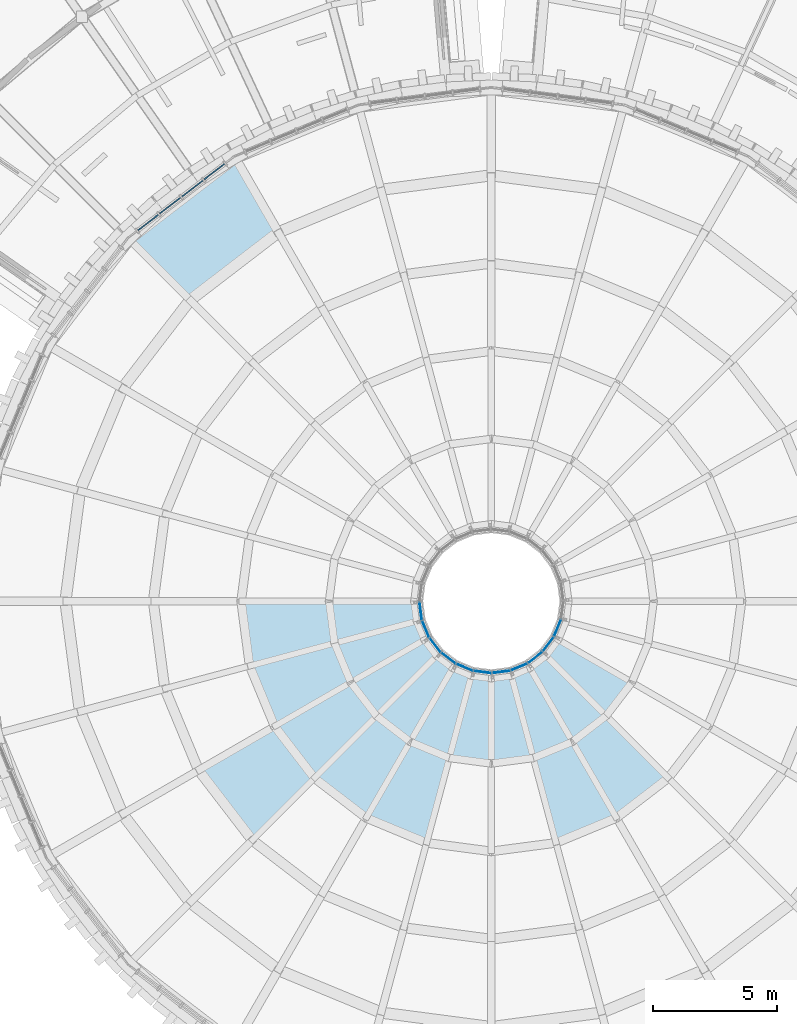
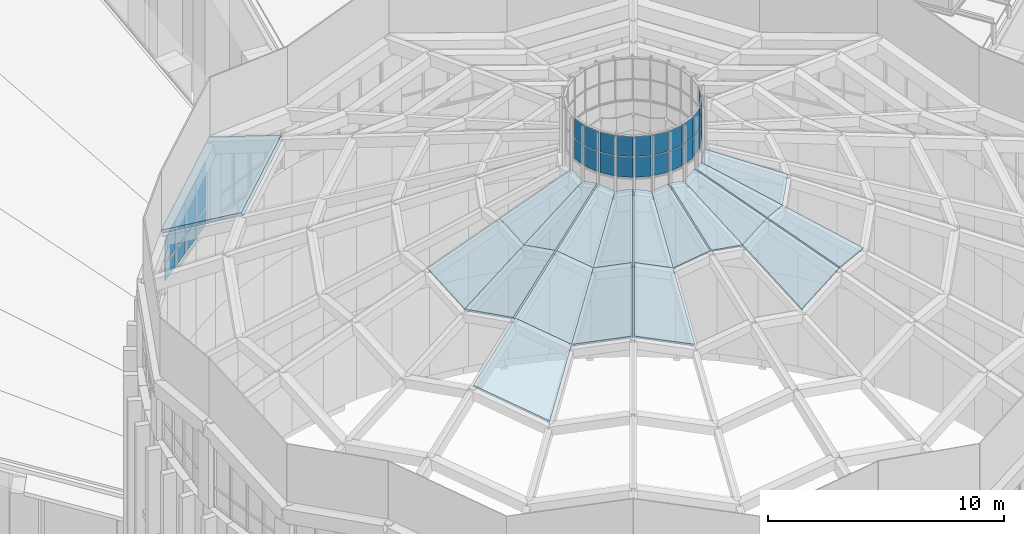
# One storey, part 41 of 82: 30 plates, 19 slabs, 13 elements without a shape of their own.
"""IFC4 building model written with IfcOpenShell, lengths in metres."""

from ifc_helpers import new_model, si_unit, direction, frame, origin, origin_2d, place, context, subcontext, project, spatial, polyline, rectangle, outline, extrude, material, layer, layer_set, type_object, element, aggregate, save


model = new_model("IFC4")

# Units and contexts
model_context = context("Model", 3, precision=1e-05, world=origin(), true_north=direction((0.0, 1.0)))
body_context = subcontext(model_context, "Body", "Model", "MODEL_VIEW")
ifc_project = project(units=[si_unit("LENGTHUNIT", "METRE"), si_unit("AREAUNIT", "SQUARE_METRE"), si_unit("VOLUMEUNIT", "CUBIC_METRE"), si_unit("PLANEANGLEUNIT", "RADIAN"), si_unit("MASSUNIT", "GRAM", prefix="KILO")], contexts=[model_context])

# Site, building, storey
site_placement = place(None, origin())
site = spatial("IfcSite", under=ifc_project, at=site_placement, CompositionType="ELEMENT")
building_placement = place(site_placement, origin())
building = spatial("IfcBuilding", under=site, at=building_placement, Name="Volute Hill Aquarium", CompositionType="ELEMENT")
storey_placement = place(building_placement, frame((0.0, 0.0, 13.800048828125)))
storey = spatial("IfcBuildingStorey", under=building, at=storey_placement, Name="L04", CompositionType="ELEMENT", Elevation=13.800048828125)

# Curtain wall, plates
ifc_material_1 = material(Name="Aluminium", Category="aluminium")
ifc_layer_1 = layer(ifc_material_1, 0.219970703125)
ifc_layer_set_1 = layer_set([ifc_layer_1], Name="Curtain wall DR clerestory module 1134")
curtain_wall_type_1 = type_object("IfcCurtainWallType", Name="Curtain wall DR clerestory module 1134", PredefinedType="NOTDEFINED", material=ifc_layer_set_1)
curtain_wall_1_placement = place(storey_placement, origin())
curtain_wall_1 = element("IfcCurtainWall", 1, at=curtain_wall_1_placement, inside=storey, type_object=curtain_wall_type_1, Name="Curtain wall CW DR clerestory c08", PredefinedType="NOTDEFINED")
ifc_material_2 = material(Name="Glass, low-iron laminated", Category="glass")
ifc_layer_2 = layer(ifc_material_2, 0.035888671875)
ifc_layer_set_2 = layer_set([ifc_layer_2], Name="Curtain wall glass panel clerestory 36")
plate_type_1 = type_object("IfcPlateType", Name="Curtain wall glass panel clerestory 36", PredefinedType="CURTAIN_PANEL", material=ifc_layer_set_2)
plate_1_placement = place(storey_placement, frame((-11.157958984375, 17.306640625, 13.77001953125), z_axis=(0.0, 0.0, 1.0), x_axis=(-0.793354013303, -0.608760551921, 0.0)))
plate_1 = element("IfcPlate", 2, at=plate_1_placement, type_object=plate_type_1, Name="Panel DR clerestory 1.1", PredefinedType="CURTAIN_PANEL", context=body_context, shape_type="SweptSolid", body=[
    extrude(rectangle(XDim=1.029052734375, YDim=0.035888671875, at=origin_2d()), origin(), (0.0, 0.0, 1.0), 0.89501953125),
])
plate_2_placement = place(storey_placement, frame((-10.7607421875, 17.63427734375, 14.73486328125), z_axis=(-0.608620818261, 0.793461214918, 0.0), x_axis=(-0.793461214918, -0.608620818261, 0.0)))
plate_2 = element("IfcPlate", 3, at=plate_2_placement, type_object=plate_type_1, Name="Panel DR clerestory 1.2", PredefinedType="CURTAIN_PANEL", context=body_context, shape_type="SweptSolid", body=[
    extrude(outline(polyline([(0.0, 0.0), (1.0289176517396483, 0.0), (1.0289176517396483, 2.025146484375), (0.0, 2.291748046875), (0.0, 0.0)])), origin(), (0.0, 0.0, -1.0), 0.035888671875),
])
plate_3_placement = place(storey_placement, frame((-12.043701171875, 16.626953125, 13.77001953125), z_axis=(0.0, 0.0, 1.0), x_axis=(-0.793354013303, -0.608760551921, 0.0)))
plate_3 = element("IfcPlate", 4, at=plate_3_placement, type_object=plate_type_1, Name="Panel DR clerestory 2.1", PredefinedType="CURTAIN_PANEL", context=body_context, shape_type="SweptSolid", body=[
    extrude(rectangle(XDim=1.06396484375, YDim=0.035888671875, at=origin_2d()), origin(), (0.0, 0.0, 1.0), 0.89501953125),
])
plate_4_placement = place(storey_placement, frame((-11.632568359375, 16.965087890625, 14.73486328125), z_axis=(-0.608701247669, 0.793399515431, 0.0), x_axis=(-0.793399515431, -0.608701247669, 0.0)))
plate_4 = element("IfcPlate", 5, at=plate_4_placement, type_object=plate_type_1, Name="Panel DR clerestory 2.2", PredefinedType="CURTAIN_PANEL", context=body_context, shape_type="SweptSolid", body=[
    extrude(outline(polyline([(0.0, 0.0), (1.0640771324283154, 0.0), (1.0640771324283154, 1.7314453125000004), (0.0, 2.0070800781250004), (0.0, 0.0)])), origin(), (0.0, 0.0, -1.0), 0.035888671875),
])
plate_5_placement = place(storey_placement, frame((-12.943359375, 15.936767578125, 13.77001953125), z_axis=(0.0, 0.0, 1.0), x_axis=(-0.793354013303, -0.608760551921, 0.0)))
plate_5 = element("IfcPlate", 6, at=plate_5_placement, type_object=plate_type_1, Name="Panel DR clerestory 3.1", PredefinedType="CURTAIN_PANEL", context=body_context, shape_type="SweptSolid", body=[
    extrude(rectangle(XDim=1.06396484375, YDim=0.035888671875, at=origin_2d()), origin(), (0.0, 0.0, 1.0), 0.89501953125),
])
plate_6_placement = place(storey_placement, frame((-12.5322265625, 16.274658203125, 14.73486328125), z_axis=(-0.608701247669, 0.793399515431, 0.0), x_axis=(-0.793399515431, -0.608701247669, 0.0)))
plate_6 = element("IfcPlate", 7, at=plate_6_placement, type_object=plate_type_1, Name="Panel DR clerestory 3.2", PredefinedType="CURTAIN_PANEL", context=body_context, shape_type="SweptSolid", body=[
    extrude(outline(polyline([(0.0, 0.0), (1.0640771324283154, 0.0), (1.0640771324283154, 1.4377441406250002), (0.0, 1.7133789062500004), (0.0, 0.0)])), origin(), (0.0, 0.0, -1.0), 0.035888671875),
])
plate_7_placement = place(storey_placement, frame((-13.8291015625, 15.257080078125, 13.77001953125), z_axis=(0.0, 0.0, 1.0), x_axis=(-0.793354013303, -0.608760551921, 0.0)))
plate_7 = element("IfcPlate", 8, at=plate_7_placement, type_object=plate_type_1, Name="Panel DR clerestory 4.1", PredefinedType="CURTAIN_PANEL", context=body_context, shape_type="SweptSolid", body=[
    extrude(rectangle(XDim=1.029052734375, YDim=0.035888671875, at=origin_2d()), origin(), (0.0, 0.0, 1.0), 0.89501953125),
])
plate_8_placement = place(storey_placement, frame((-13.431884765625, 15.58447265625, 14.73486328125), z_axis=(-0.608770172228, 0.793346631306, 0.0), x_axis=(-0.793346631306, -0.608770172228, 0.0)))
plate_8 = element("IfcPlate", 9, at=plate_8_placement, type_object=plate_type_1, Name="Panel DR clerestory 4.2", PredefinedType="CURTAIN_PANEL", context=body_context, shape_type="SweptSolid", body=[
    extrude(outline(polyline([(0.0, 0.0), (1.0290662590396085, 0.0), (1.0290662590396085, 1.1528320312500002), (0.0, 1.4194335937500002), (0.0, 0.0)])), origin(), (0.0, 0.0, -1.0), 0.035888671875),
])
aggregate(curtain_wall_1, [plate_1, plate_2, plate_3, plate_4, plate_5, plate_6, plate_7, plate_8])

ifc_material_3 = material(Name="Aluminium", Category="aluminium")
ifc_layer_3 = layer(ifc_material_3, 0.139892578125)
ifc_layer_set_3 = layer_set([ifc_layer_3], Name="Curtain wall DR lantern module 757")
curtain_wall_type_2 = type_object("IfcCurtainWallType", Name="Curtain wall DR lantern module 757", PredefinedType="NOTDEFINED", material=ifc_layer_set_3)
curtain_wall_2_placement = place(storey_placement, origin())
curtain_wall_2 = element("IfcCurtainWall", 10, at=curtain_wall_2_placement, inside=storey, type_object=curtain_wall_type_2, Name="Curtain wall CW DR lantern l12", PredefinedType="NOTDEFINED")
ifc_material_4 = material(Name="Glass, low-iron laminated", Category="glass")
ifc_layer_4 = layer(ifc_material_4, 0.031982421875)
ifc_layer_set_4 = layer_set([ifc_layer_4], Name="Curtain wall glass panel lantern 32")
plate_type_2 = type_object("IfcPlateType", Name="Curtain wall glass panel lantern 32", PredefinedType="CURTAIN_PANEL", material=ifc_layer_set_4)
plate_9_placement = place(storey_placement, frame((-2.847412109375, -0.400146484375, 25.216552734375), z_axis=(0.0, 0.0, 1.0), x_axis=(0.130502348011, -0.991448000232, 0.0)))
plate_9 = element("IfcPlate", 11, at=plate_9_placement, type_object=plate_type_2, Name="Panel DR lantern 1.1", PredefinedType="CURTAIN_PANEL", context=body_context, shape_type="SweptSolid", body=[
    extrude(rectangle(XDim=0.70703125, YDim=0.031982421875, at=origin_2d()), origin(), (0.0, 0.0, 1.0), 1.02490234375),
])
plate_10_placement = place(storey_placement, frame((-2.909423828125, -0.0517578125, 26.29150390625), z_axis=(-0.991443713746, -0.13053490902, 0.0), x_axis=(0.13053490902, -0.991443713746, 0.0)))
plate_10 = element("IfcPlate", 12, at=plate_10_placement, type_object=plate_type_2, Name="Panel DR lantern 1.2", PredefinedType="CURTAIN_PANEL", context=body_context, shape_type="SweptSolid", body=[
    extrude(outline(polyline([(0.0, 0.0), (0.7069768305115505, 0.0), (0.7069768305115505, 1.025146484375), (0.0, 1.025146484375), (0.0, 0.0)])), origin(), (0.0, 0.0, -1.0), 0.031982421875),
])
aggregate(curtain_wall_2, [plate_9, plate_10])

curtain_wall_3_placement = place(storey_placement, origin())
curtain_wall_3 = element("IfcCurtainWall", 13, at=curtain_wall_3_placement, inside=storey, type_object=curtain_wall_type_2, Name="Curtain wall CW DR lantern l13", PredefinedType="NOTDEFINED")
plate_11_placement = place(storey_placement, frame((-2.646728515625, -1.123291015625, 25.216552734375), z_axis=(0.0, 0.0, 1.0), x_axis=(0.382682343719, -0.923879983442, 0.0)))
plate_11 = element("IfcPlate", 14, at=plate_11_placement, type_object=plate_type_2, Name="Panel DR lantern 1.1", PredefinedType="CURTAIN_PANEL", context=body_context, shape_type="SweptSolid", body=[
    extrude(rectangle(XDim=0.70703125, YDim=0.031982421875, at=origin_2d()), origin(), (0.0, 0.0, 1.0), 1.02490234375),
])
plate_12_placement = place(storey_placement, frame((-2.796875, -0.802978515625, 26.29150390625), z_axis=(-0.923882130891, -0.382677159262, 0.0), x_axis=(0.382677159262, -0.923882130891, 0.0)))
plate_12 = element("IfcPlate", 15, at=plate_12_placement, type_object=plate_type_2, Name="Panel DR lantern 1.2", PredefinedType="CURTAIN_PANEL", context=body_context, shape_type="SweptSolid", body=[
    extrude(outline(polyline([(0.0, 0.0), (0.7068825665515027, 0.0), (0.7068825665515027, 1.025146484375), (0.0, 1.025146484375), (0.0, 0.0)])), origin(), (0.0, 0.0, -1.0), 0.031982421875),
])
aggregate(curtain_wall_3, [plate_11, plate_12])

curtain_wall_4_placement = place(storey_placement, origin())
curtain_wall_4 = element("IfcCurtainWall", 16, at=curtain_wall_4_placement, inside=storey, type_object=curtain_wall_type_2, Name="Curtain wall CW DR lantern l14", PredefinedType="NOTDEFINED")
plate_13_placement = place(storey_placement, frame((-2.265869140625, -1.77001953125, 25.216552734375), z_axis=(0.0, 0.0, 1.0), x_axis=(0.608797519421, -0.79332564584, 0.0)))
plate_13 = element("IfcPlate", 17, at=plate_13_placement, type_object=plate_type_2, Name="Panel DR lantern 1.1", PredefinedType="CURTAIN_PANEL", context=body_context, shape_type="SweptSolid", body=[
    extrude(rectangle(XDim=0.70703125, YDim=0.031982421875, at=origin_2d()), origin(), (0.0, 0.0, 1.0), 1.02490234375),
])
plate_14_placement = place(storey_placement, frame((-2.49365234375, -1.49951171875, 26.29150390625), z_axis=(-0.793278292564, -0.608859220631, 0.0), x_axis=(0.608859220631, -0.793278292564, 0.0)))
plate_14 = element("IfcPlate", 18, at=plate_14_placement, type_object=plate_type_2, Name="Panel DR lantern 1.2", PredefinedType="CURTAIN_PANEL", context=body_context, shape_type="SweptSolid", body=[
    extrude(outline(polyline([(0.0, 0.0), (0.7069284775368723, 0.0), (0.7069284775368723, 1.025146484375), (0.0, 1.025146484375), (0.0, 0.0)])), origin(), (0.0, 0.0, -1.0), 0.031982421875),
])
aggregate(curtain_wall_4, [plate_13, plate_14])

curtain_wall_5_placement = place(storey_placement, origin())
curtain_wall_5 = element("IfcCurtainWall", 19, at=curtain_wall_5_placement, inside=storey, type_object=curtain_wall_type_2, Name="Curtain wall CW DR lantern l15", PredefinedType="NOTDEFINED")
plate_15_placement = place(storey_placement, frame((-1.73046875, -2.29638671875, 25.216552734375), z_axis=(0.0, 0.0, 1.0), x_axis=(0.79332564584, -0.608797519421, 0.0)))
plate_15 = element("IfcPlate", 20, at=plate_15_placement, type_object=plate_type_2, Name="Panel DR lantern 1.1", PredefinedType="CURTAIN_PANEL", context=body_context, shape_type="SweptSolid", body=[
    extrude(rectangle(XDim=0.70703125, YDim=0.031982421875, at=origin_2d()), origin(), (0.0, 0.0, 1.0), 1.02490234375),
])
plate_16_placement = place(storey_placement, frame((-2.020751953125, -2.09375, 26.29150390625), z_axis=(-0.608692448648, -0.79340626602, 0.0), x_axis=(0.79340626602, -0.608692448648, 0.0)))
plate_16 = element("IfcPlate", 21, at=plate_16_placement, type_object=plate_type_2, Name="Panel DR lantern 1.2", PredefinedType="CURTAIN_PANEL", context=body_context, shape_type="SweptSolid", body=[
    extrude(outline(polyline([(0.0, 0.0), (0.7071221646189172, 0.0), (0.7071221646189172, 1.0251464843749998), (0.0, 1.0251464843749998), (0.0, 0.0)])), origin(), (0.0, 0.0, -1.0), 0.031982421875),
])
aggregate(curtain_wall_5, [plate_15, plate_16])

curtain_wall_6_placement = place(storey_placement, origin())
curtain_wall_6 = element("IfcCurtainWall", 22, at=curtain_wall_6_placement, inside=storey, type_object=curtain_wall_type_2, Name="Curtain wall CW DR lantern l16", PredefinedType="NOTDEFINED")
plate_17_placement = place(storey_placement, frame((-1.0771484375, -2.666015625, 25.216552734375), z_axis=(0.0, 0.0, 1.0), x_axis=(0.923879983442, -0.382682343719, 0.0)))
plate_17 = element("IfcPlate", 23, at=plate_17_placement, type_object=plate_type_2, Name="Panel DR lantern 1.1", PredefinedType="CURTAIN_PANEL", context=body_context, shape_type="SweptSolid", body=[
    extrude(rectangle(XDim=0.70703125, YDim=0.031982421875, at=origin_2d()), origin(), (0.0, 0.0, 1.0), 1.02490234375),
])
plate_18_placement = place(storey_placement, frame((-1.409912109375, -2.54541015625, 26.29150390625), z_axis=(-0.382849766253, -0.923810617216, 0.0), x_axis=(0.923810617216, -0.382849766253, 0.0)))
plate_18 = element("IfcPlate", 24, at=plate_18_placement, type_object=plate_type_2, Name="Panel DR lantern 1.2", PredefinedType="CURTAIN_PANEL", context=body_context, shape_type="SweptSolid", body=[
    extrude(outline(polyline([(0.0, 0.0), (0.7072015630964766, 0.0), (0.7072015630964766, 1.025146484375), (0.0, 1.025146484375), (0.0, 0.0)])), origin(), (0.0, 0.0, -1.0), 0.031982421875),
])
aggregate(curtain_wall_6, [plate_17, plate_18])

curtain_wall_7_placement = place(storey_placement, origin())
curtain_wall_7 = element("IfcCurtainWall", 25, at=curtain_wall_7_placement, inside=storey, type_object=curtain_wall_type_2, Name="Curtain wall CW DR lantern l17", PredefinedType="NOTDEFINED")
plate_19_placement = place(storey_placement, frame((-0.3505859375, -2.853759765625, 25.216552734375), z_axis=(0.0, 0.0, 1.0), x_axis=(0.991448000232, -0.130502348011, 0.0)))
plate_19 = element("IfcPlate", 26, at=plate_19_placement, type_object=plate_type_2, Name="Panel DR lantern 1.1", PredefinedType="CURTAIN_PANEL", context=body_context, shape_type="SweptSolid", body=[
    extrude(rectangle(XDim=0.70703125, YDim=0.031982421875, at=origin_2d()), origin(), (0.0, 0.0, 1.0), 1.02490234375),
])
plate_20_placement = place(storey_placement, frame((-0.703125, -2.823486328125, 26.29150390625), z_axis=(-0.13053490902, -0.991443713746, 0.0), x_axis=(0.991443713746, -0.13053490902, 0.0)))
plate_20 = element("IfcPlate", 27, at=plate_20_placement, type_object=plate_type_2, Name="Panel DR lantern 1.2", PredefinedType="CURTAIN_PANEL", context=body_context, shape_type="SweptSolid", body=[
    extrude(outline(polyline([(0.0, 0.0), (0.7069768305115505, 0.0), (0.7069768305115505, 1.025146484375), (0.0, 1.025146484375), (0.0, 0.0)])), origin(), (0.0, 0.0, -1.0), 0.031982421875),
])
aggregate(curtain_wall_7, [plate_19, plate_20])

curtain_wall_8_placement = place(storey_placement, origin())
curtain_wall_8 = element("IfcCurtainWall", 28, at=curtain_wall_8_placement, inside=storey, type_object=curtain_wall_type_2, Name="Curtain wall CW DR lantern l18", PredefinedType="NOTDEFINED")
plate_21_placement = place(storey_placement, frame((0.400146484375, -2.847412109375, 25.216552734375), z_axis=(0.0, 0.0, 1.0), x_axis=(0.991448000232, 0.130502348011, 0.0)))
plate_21 = element("IfcPlate", 29, at=plate_21_placement, type_object=plate_type_2, Name="Panel DR lantern 1.1", PredefinedType="CURTAIN_PANEL", context=body_context, shape_type="SweptSolid", body=[
    extrude(rectangle(XDim=0.70703125, YDim=0.031982421875, at=origin_2d()), origin(), (0.0, 0.0, 1.0), 1.02490234375),
])
plate_22_placement = place(storey_placement, frame((0.0517578125, -2.909423828125, 26.29150390625), z_axis=(0.13053490902, -0.991443713746, 0.0), x_axis=(0.991443713746, 0.13053490902, 0.0)))
plate_22 = element("IfcPlate", 30, at=plate_22_placement, type_object=plate_type_2, Name="Panel DR lantern 1.2", PredefinedType="CURTAIN_PANEL", context=body_context, shape_type="SweptSolid", body=[
    extrude(outline(polyline([(0.0, 0.0), (0.7069768305115505, 0.0), (0.7069768305115505, 1.025146484375), (0.0, 1.025146484375), (0.0, 0.0)])), origin(), (0.0, 0.0, -1.0), 0.031982421875),
])
aggregate(curtain_wall_8, [plate_21, plate_22])

curtain_wall_9_placement = place(storey_placement, origin())
curtain_wall_9 = element("IfcCurtainWall", 31, at=curtain_wall_9_placement, inside=storey, type_object=curtain_wall_type_2, Name="Curtain wall CW DR lantern l19", PredefinedType="NOTDEFINED")
plate_23_placement = place(storey_placement, frame((1.123291015625, -2.646728515625, 25.216552734375), z_axis=(0.0, 0.0, 1.0), x_axis=(0.923879983442, 0.382682343719, 0.0)))
plate_23 = element("IfcPlate", 32, at=plate_23_placement, type_object=plate_type_2, Name="Panel DR lantern 1.1", PredefinedType="CURTAIN_PANEL", context=body_context, shape_type="SweptSolid", body=[
    extrude(rectangle(XDim=0.70703125, YDim=0.031982421875, at=origin_2d()), origin(), (0.0, 0.0, 1.0), 1.02490234375),
])
plate_24_placement = place(storey_placement, frame((0.802978515625, -2.796875, 26.29150390625), z_axis=(0.382677159262, -0.923882130891, 0.0), x_axis=(0.923882130891, 0.382677159262, 0.0)))
plate_24 = element("IfcPlate", 33, at=plate_24_placement, type_object=plate_type_2, Name="Panel DR lantern 1.2", PredefinedType="CURTAIN_PANEL", context=body_context, shape_type="SweptSolid", body=[
    extrude(outline(polyline([(0.0, 0.0), (0.7068825665515027, 0.0), (0.7068825665515027, 1.025146484375), (0.0, 1.025146484375), (0.0, 0.0)])), origin(), (0.0, 0.0, -1.0), 0.031982421875),
])
aggregate(curtain_wall_9, [plate_23, plate_24])

curtain_wall_10_placement = place(storey_placement, origin())
curtain_wall_10 = element("IfcCurtainWall", 34, at=curtain_wall_10_placement, inside=storey, type_object=curtain_wall_type_2, Name="Curtain wall CW DR lantern l20", PredefinedType="NOTDEFINED")
plate_25_placement = place(storey_placement, frame((1.77001953125, -2.265869140625, 25.216552734375), z_axis=(0.0, 0.0, 1.0), x_axis=(0.79332564584, 0.608797519421, 0.0)))
plate_25 = element("IfcPlate", 35, at=plate_25_placement, type_object=plate_type_2, Name="Panel DR lantern 1.1", PredefinedType="CURTAIN_PANEL", context=body_context, shape_type="SweptSolid", body=[
    extrude(rectangle(XDim=0.70703125, YDim=0.031982421875, at=origin_2d()), origin(), (0.0, 0.0, 1.0), 1.02490234375),
])
plate_26_placement = place(storey_placement, frame((1.49951171875, -2.49365234375, 26.29150390625), z_axis=(0.608859220631, -0.793278292564, 0.0), x_axis=(0.793278292564, 0.608859220631, 0.0)))
plate_26 = element("IfcPlate", 36, at=plate_26_placement, type_object=plate_type_2, Name="Panel DR lantern 1.2", PredefinedType="CURTAIN_PANEL", context=body_context, shape_type="SweptSolid", body=[
    extrude(outline(polyline([(0.0, 0.0), (0.7069284775368723, 0.0), (0.7069284775368723, 1.025146484375), (0.0, 1.025146484375), (0.0, 0.0)])), origin(), (0.0, 0.0, -1.0), 0.031982421875),
])
aggregate(curtain_wall_10, [plate_25, plate_26])

curtain_wall_11_placement = place(storey_placement, origin())
curtain_wall_11 = element("IfcCurtainWall", 37, at=curtain_wall_11_placement, inside=storey, type_object=curtain_wall_type_2, Name="Curtain wall CW DR lantern l21", PredefinedType="NOTDEFINED")
plate_27_placement = place(storey_placement, frame((2.29638671875, -1.73046875, 25.216552734375), z_axis=(0.0, 0.0, 1.0), x_axis=(0.608797519421, 0.79332564584, 0.0)))
plate_27 = element("IfcPlate", 38, at=plate_27_placement, type_object=plate_type_2, Name="Panel DR lantern 1.1", PredefinedType="CURTAIN_PANEL", context=body_context, shape_type="SweptSolid", body=[
    extrude(rectangle(XDim=0.70703125, YDim=0.031982421875, at=origin_2d()), origin(), (0.0, 0.0, 1.0), 1.02490234375),
])
plate_28_placement = place(storey_placement, frame((2.09375, -2.020751953125, 26.29150390625), z_axis=(0.79340626602, -0.608692448648, 0.0), x_axis=(0.608692448648, 0.79340626602, 0.0)))
plate_28 = element("IfcPlate", 39, at=plate_28_placement, type_object=plate_type_2, Name="Panel DR lantern 1.2", PredefinedType="CURTAIN_PANEL", context=body_context, shape_type="SweptSolid", body=[
    extrude(outline(polyline([(0.0, 0.0), (0.7071221646189172, 0.0), (0.7071221646189172, 1.0251464843749998), (0.0, 1.0251464843749998), (0.0, 0.0)])), origin(), (0.0, 0.0, -1.0), 0.031982421875),
])
aggregate(curtain_wall_11, [plate_27, plate_28])

curtain_wall_12_placement = place(storey_placement, origin())
curtain_wall_12 = element("IfcCurtainWall", 40, at=curtain_wall_12_placement, inside=storey, type_object=curtain_wall_type_2, Name="Curtain wall CW DR lantern l22", PredefinedType="NOTDEFINED")
plate_29_placement = place(storey_placement, frame((2.666015625, -1.0771484375, 25.216552734375), z_axis=(0.0, 0.0, 1.0), x_axis=(0.382682343719, 0.923879983442, 0.0)))
plate_29 = element("IfcPlate", 41, at=plate_29_placement, type_object=plate_type_2, Name="Panel DR lantern 1.1", PredefinedType="CURTAIN_PANEL", context=body_context, shape_type="SweptSolid", body=[
    extrude(rectangle(XDim=0.70703125, YDim=0.031982421875, at=origin_2d()), origin(), (0.0, 0.0, 1.0), 1.02490234375),
])
plate_30_placement = place(storey_placement, frame((2.54541015625, -1.409912109375, 26.29150390625), z_axis=(0.923810617216, -0.382849766253, 0.0), x_axis=(0.382849766253, 0.923810617216, 0.0)))
plate_30 = element("IfcPlate", 42, at=plate_30_placement, type_object=plate_type_2, Name="Panel DR lantern 1.2", PredefinedType="CURTAIN_PANEL", context=body_context, shape_type="SweptSolid", body=[
    extrude(outline(polyline([(0.0, 0.0), (0.7072015630964766, 0.0), (0.7072015630964766, 1.025146484375), (0.0, 1.025146484375), (0.0, 0.0)])), origin(), (0.0, 0.0, -1.0), 0.031982421875),
])
aggregate(curtain_wall_12, [plate_29, plate_30])

# Roof, slabs
roof_placement = place(storey_placement, origin())
roof = element("IfcRoof", 43, at=roof_placement, inside=storey, Name="Folded dome shell roof", PredefinedType="DOME_ROOF")
ifc_material_5 = material(Name="Concrete C40/50", Category="concrete")
ifc_layer_5 = layer(ifc_material_5, 0.1201171875)
ifc_layer_set_5 = layer_set([ifc_layer_5], Name="Dome shell plate C40/50 120")
slab_type_1 = type_object("IfcSlabType", Name="Dome shell plate C40/50 120", PredefinedType="ROOF", material=ifc_layer_set_5)
slab_1_placement = place(storey_placement, frame((-6.5361328125, -0.037353515625, 23.369873046875), z_axis=(-0.335467684888, -0.279210936587, 0.899723671627), x_axis=(0.126956664477, -0.959755082782, -0.250503865078)))
slab_1 = element("IfcSlab", 44, at=slab_1_placement, type_object=slab_type_1, Name="Dome shell plate 5.13", PredefinedType="ROOF", context=body_context, shape_type="SweptSolid", body=[
    extrude(outline(polyline([(0.0, 0.0), (1.7247098218959465, 2.7755575615628914e-17), (0.8890618203838421, 3.77687718185007), (0.11881048347109141, 3.776201344347077), (0.0, 0.0)])), origin(), (0.0, 0.0, -1.0), 0.1201171875),
])
slab_2_placement = place(storey_placement, frame((-6.317138671875, -1.692626953125, 22.937744140625), z_axis=(-0.430139073391, 0.074118016519, 0.899714897714), x_axis=(0.369848434748, -0.894679276158, 0.250521711889)))
slab_2 = element("IfcSlab", 45, at=slab_2_placement, type_object=slab_type_1, Name="Dome shell plate 5.14", PredefinedType="ROOF", context=body_context, shape_type="SweptSolid", body=[
    extrude(outline(polyline([(0.0, 0.0), (1.7248791734948663, 2.7755575615628914e-17), (1.605758669942584, 3.776118567442564), (0.8357770280184584, 3.77684863304529), (0.0, 0.0)])), origin(), (0.0, 0.0, -1.0), 0.1201171875),
])
slab_3_placement = place(storey_placement, frame((-5.641845703125, -3.300537109375, 23.369873046875), z_axis=(-0.150886878852, -0.409565437127, 0.899716234432), x_axis=(0.589855554207, -0.767661969918, -0.250530487393)))
slab_3 = element("IfcSlab", 46, at=slab_3_placement, type_object=slab_type_1, Name="Dome shell plate 5.15", PredefinedType="ROOF", context=body_context, shape_type="SweptSolid", body=[
    extrude(outline(polyline([(0.0, 0.0), (1.7247065234202523, 5.551115123125783e-17), (0.888967411296786, 3.7768765763073215), (0.11887184995857247, 3.776126402998328), (0.0, 0.0)])), origin(), (0.0, 0.0, -1.0), 0.1201171875),
])
slab_4_placement = place(storey_placement, frame((-4.62451171875, -4.62451171875, 22.937744140625), z_axis=(-0.409565437127, -0.150886878852, 0.899716234432), x_axis=(0.767661969918, -0.589855554207, 0.250530487393)))
slab_4 = element("IfcSlab", 47, at=slab_4_placement, type_object=slab_type_1, Name="Dome shell plate 5.16", PredefinedType="ROOF", context=body_context, shape_type="SweptSolid", body=[
    extrude(outline(polyline([(0.0, 0.0), (1.7247065234202523, -5.551115123125783e-17), (1.60583467346168, 3.7761264029983277), (0.8357391121234663, 3.776876576307321), (0.0, 0.0)])), origin(), (0.0, 0.0, -1.0), 0.1201171875),
])
slab_5_placement = place(storey_placement, frame((-3.23583984375, -5.67919921875, 23.369873046875), z_axis=(0.074118016519, -0.430139073391, 0.899714897714), x_axis=(0.894679276158, -0.369848434748, -0.250521711889)))
slab_5 = element("IfcSlab", 48, at=slab_5_placement, type_object=slab_type_1, Name="Dome shell plate 5.17", PredefinedType="ROOF", context=body_context, shape_type="SweptSolid", body=[
    extrude(outline(polyline([(0.0, 0.0), (1.7248791734948663, -2.7755575615628914e-17), (0.8891021454764074, 3.77684863304529), (0.11912050355228215, 3.776118567442564), (0.0, 0.0)])), origin(), (0.0, 0.0, -1.0), 0.1201171875),
])
slab_6_placement = place(storey_placement, frame((-1.692626953125, -6.317138671875, 22.937744140625), z_axis=(-0.279210936587, -0.335467684888, 0.899723671627), x_axis=(0.959755082782, -0.126956664477, 0.250503865078)))
slab_6 = element("IfcSlab", 49, at=slab_6_placement, type_object=slab_type_1, Name="Dome shell plate 5.18", PredefinedType="ROOF", context=body_context, shape_type="SweptSolid", body=[
    extrude(outline(polyline([(0.0, 0.0), (1.7247098218959465, -2.7755575615628914e-17), (1.605899338424855, 3.776201344347077), (0.8356480015121044, 3.77687718185007), (0.0, 0.0)])), origin(), (0.0, 0.0, -1.0), 0.1201171875),
])
slab_7_placement = place(storey_placement, frame((0.037353515625, -6.5361328125, 23.369873046875), z_axis=(0.279210936587, -0.335467684888, 0.899723671627), x_axis=(0.959755082782, 0.126956664477, -0.250503865078)))
slab_7 = element("IfcSlab", 50, at=slab_7_placement, type_object=slab_type_1, Name="Dome shell plate 5.19", PredefinedType="ROOF", context=body_context, shape_type="SweptSolid", body=[
    extrude(outline(polyline([(0.0, 0.0), (1.7247098218959465, 2.7755575615628914e-17), (0.8890618203838421, 3.77687718185007), (0.11881048347109141, 3.776201344347077), (0.0, 0.0)])), origin(), (0.0, 0.0, -1.0), 0.1201171875),
])
slab_8_placement = place(storey_placement, frame((1.692626953125, -6.317138671875, 22.937744140625), z_axis=(-0.074118016519, -0.430139073391, 0.899714897714), x_axis=(0.894679276158, 0.369848434748, 0.250521711889)))
slab_8 = element("IfcSlab", 51, at=slab_8_placement, type_object=slab_type_1, Name="Dome shell plate 5.20", PredefinedType="ROOF", context=body_context, shape_type="SweptSolid", body=[
    extrude(outline(polyline([(0.0, 0.0), (1.7248791734948663, 2.7755575615628914e-17), (1.605758669942584, 3.776118567442564), (0.8357770280184584, 3.77684863304529), (0.0, 0.0)])), origin(), (0.0, 0.0, -1.0), 0.1201171875),
])
slab_9_placement = place(storey_placement, frame((3.300537109375, -5.641845703125, 23.369873046875), z_axis=(0.409565437127, -0.150886878852, 0.899716234432), x_axis=(0.767661969918, 0.589855554207, -0.250530487393)))
slab_9 = element("IfcSlab", 52, at=slab_9_placement, type_object=slab_type_1, Name="Dome shell plate 5.21", PredefinedType="ROOF", context=body_context, shape_type="SweptSolid", body=[
    extrude(outline(polyline([(0.0, 0.0), (1.7247065234202523, 5.551115123125783e-17), (0.888967411296786, 3.7768765763073215), (0.11887184995857247, 3.776126402998328), (0.0, 0.0)])), origin(), (0.0, 0.0, -1.0), 0.1201171875),
])
slab_10_placement = place(storey_placement, frame((4.62451171875, -4.62451171875, 22.937744140625), z_axis=(0.150886878852, -0.409565437127, 0.899716234432), x_axis=(0.589855554207, 0.767661969918, 0.250530487393)))
slab_10 = element("IfcSlab", 53, at=slab_10_placement, type_object=slab_type_1, Name="Dome shell plate 5.22", PredefinedType="ROOF", context=body_context, shape_type="SweptSolid", body=[
    extrude(outline(polyline([(0.0, 0.0), (1.7247065234202523, -5.551115123125783e-17), (1.60583467346168, 3.7761264029983277), (0.8357391121234663, 3.776876576307321), (0.0, 0.0)])), origin(), (0.0, 0.0, -1.0), 0.1201171875),
])
ifc_material_6 = material(Name="Concrete C40/50", Category="concrete")
ifc_layer_6 = layer(ifc_material_6, 0.139892578125)
ifc_layer_set_6 = layer_set([ifc_layer_6], Name="Dome shell plate C40/50 140")
slab_type_2 = type_object("IfcSlabType", Name="Dome shell plate C40/50 140", PredefinedType="ROOF", material=ifc_layer_set_6)
slab_11_placement = place(storey_placement, frame((-10.07568359375, -0.04296875, 22.04833984375), z_axis=(-0.335474097256, -0.279266177282, 0.899704135978), x_axis=(0.126820128678, -0.959744160327, -0.250614847286)))
slab_11 = element("IfcSlab", 54, at=slab_11_placement, type_object=slab_type_2, Name="Dome shell plate 4.13", PredefinedType="ROOF", context=body_context, shape_type="SweptSolid", body=[
    extrude(outline(polyline([(0.0, 0.0), (2.6735844823172137, 5.551115123125783e-17), (1.8370110555831625, 3.7768323370060926), (0.11818066440590841, 3.7762211062591917), (0.0, 0.0)])), origin(), (0.0, 0.0, -1.0), 0.139892578125),
])
slab_12_placement = place(storey_placement, frame((-9.736572265625, -2.60888671875, 21.378173828125), z_axis=(-0.430150039954, 0.074106409516, 0.899710610806), x_axis=(0.370056925563, -0.89456931387, 0.25060649338)))
slab_12 = element("IfcSlab", 55, at=slab_12_placement, type_object=slab_type_2, Name="Dome shell plate 4.14", PredefinedType="ROOF", context=body_context, shape_type="SweptSolid", body=[
    extrude(outline(polyline([(0.0, 0.0), (2.6734830286582674, -5.551115123125783e-17), (2.555616968645844, 3.7762417093378122), (0.8365656602037538, 3.77683405495248), (0.0, 0.0)])), origin(), (0.0, 0.0, -1.0), 0.139892578125),
])
slab_13_placement = place(storey_placement, frame((-8.704345703125, -5.074951171875, 22.04833984375), z_axis=(-0.150917160654, -0.409571955492, 0.899708188189), x_axis=(0.589682321643, -0.767773001723, -0.250598039431)))
slab_13 = element("IfcSlab", 56, at=slab_13_placement, type_object=slab_type_2, Name="Dome shell plate 4.15", PredefinedType="ROOF", context=body_context, shape_type="SweptSolid", body=[
    extrude(outline(polyline([(0.0, 0.0), (2.6737049438225817, -1.1102230246251565e-16), (1.8370877517449506, 3.7767829745275465), (0.11805509013953114, 3.776152023033233), (0.0, 0.0)])), origin(), (0.0, 0.0, -1.0), 0.139892578125),
])
slab_14_placement = place(storey_placement, frame((-7.127685546875, -7.127685546875, 21.378173828125), z_axis=(-0.409571955492, -0.150917160654, 0.899708188189), x_axis=(0.767773001723, -0.589682321643, 0.250598039431)))
slab_14 = element("IfcSlab", 57, at=slab_14_placement, type_object=slab_type_2, Name="Dome shell plate 4.16", PredefinedType="ROOF", context=body_context, shape_type="SweptSolid", body=[
    extrude(outline(polyline([(0.0, 0.0), (2.6737049438225817, 1.1102230246251565e-16), (2.555649853683051, 3.7761520230332333), (0.8366171920776315, 3.776782974527546), (0.0, 0.0)])), origin(), (0.0, 0.0, -1.0), 0.139892578125),
])
slab_15_placement = place(storey_placement, frame((-5.00048828125, -8.747314453125, 22.04833984375), z_axis=(0.074106409516, -0.430150039954, 0.899710610806), x_axis=(0.89456931387, -0.370056925563, -0.25060649338)))
slab_15 = element("IfcSlab", 58, at=slab_15_placement, type_object=slab_type_2, Name="Dome shell plate 4.17", PredefinedType="ROOF", context=body_context, shape_type="SweptSolid", body=[
    extrude(outline(polyline([(0.0, 0.0), (2.6734830286582674, 5.551115123125783e-17), (1.8369173684545137, 3.77683405495248), (0.11786606001242378, 3.7762417093378122), (0.0, 0.0)])), origin(), (0.0, 0.0, -1.0), 0.139892578125),
])
slab_16_placement = place(storey_placement, frame((2.60888671875, -9.736572265625, 21.378173828125), z_axis=(-0.074106409516, -0.430150039954, 0.899710610806), x_axis=(0.89456931387, 0.370056925563, 0.25060649338)))
slab_16 = element("IfcSlab", 59, at=slab_16_placement, type_object=slab_type_2, Name="Dome shell plate 4.20", PredefinedType="ROOF", context=body_context, shape_type="SweptSolid", body=[
    extrude(outline(polyline([(0.0, 0.0), (2.6734830286582674, -5.551115123125783e-17), (2.555616968645844, 3.7762417093378122), (0.8365656602037538, 3.77683405495248), (0.0, 0.0)])), origin(), (0.0, 0.0, -1.0), 0.139892578125),
])
slab_17_placement = place(storey_placement, frame((5.074951171875, -8.704345703125, 22.04833984375), z_axis=(0.409571955492, -0.150917160654, 0.899708188189), x_axis=(0.767773001723, 0.589682321643, -0.250598039431)))
slab_17 = element("IfcSlab", 60, at=slab_17_placement, type_object=slab_type_2, Name="Dome shell plate 4.21", PredefinedType="ROOF", context=body_context, shape_type="SweptSolid", body=[
    extrude(outline(polyline([(0.0, 0.0), (2.6737049438225817, -1.1102230246251565e-16), (1.8370877517449506, 3.7767829745275465), (0.11805509013953114, 3.776152023033233), (0.0, 0.0)])), origin(), (0.0, 0.0, -1.0), 0.139892578125),
])
ifc_material_7 = material(Name="Concrete C40/50", Category="concrete")
ifc_layer_7 = layer(ifc_material_7, 0.159912109375)
ifc_layer_set_7 = layer_set([ifc_layer_7], Name="Dome shell plate C40/50 160")
slab_type_3 = type_object("IfcSlabType", Name="Dome shell plate C40/50 160", PredefinedType="ROOF", material=ifc_layer_set_7)
slab_18_placement = place(storey_placement, frame((-11.766845703125, -6.849609375, 20.726806640625), z_axis=(-0.150875828039, -0.409570817127, 0.899715638561), x_axis=(0.589649337697, -0.767786651978, -0.25063382772)))
slab_18 = element("IfcSlab", 61, at=slab_18_placement, type_object=slab_type_3, Name="Dome shell plate 3.15", PredefinedType="ROOF", context=body_context, shape_type="SweptSolid", body=[
    extrude(outline(polyline([(0.0, 0.0), (3.6224547851898223, 3.3306690738754696e-16), (2.785726235148326, 3.77665749949081), (0.11802653401013219, 3.7763511270510377), (0.0, 0.0)])), origin(), (0.0, 0.0, -1.0), 0.159912109375),
])
ifc_material_8 = material(Name="Concrete C40/50", Category="concrete")
ifc_layer_8 = layer(ifc_material_8, 0.199951171875)
ifc_layer_set_8 = layer_set([ifc_layer_8], Name="Dome shell plate C40/50 200")
slab_type_4 = type_object("IfcSlabType", Name="Dome shell plate C40/50 200", PredefinedType="ROOF", material=ifc_layer_set_8)
slab_19_placement = place(storey_placement, frame((-10.398681640625, 17.8916015625, 18.083740234375), z_axis=(-0.409575145559, 0.150877920947, 0.89971331718), x_axis=(-0.767843172201, -0.589556946659, -0.250678019678)))
slab_19 = element("IfcSlab", 62, at=slab_19_placement, type_object=slab_type_4, Name="Dome shell plate 1.9", PredefinedType="ROOF", context=body_context, shape_type="SweptSolid", body=[
    extrude(outline(polyline([(0.0, 0.0), (5.520059186301094, 3.3306690738754696e-16), (4.682888975810171, 3.776559621580285), (0.11744096834879747, 3.776171175619449), (0.0, 0.0)])), origin(), (0.0, 0.0, -1.0), 0.199951171875),
])
aggregate(roof, [slab_19, slab_18, slab_11, slab_12, slab_13, slab_14, slab_15, slab_16, slab_17, slab_1, slab_2, slab_3, slab_4, slab_5, slab_6, slab_7, slab_8, slab_9, slab_10])

save(model, "model.ifc")
